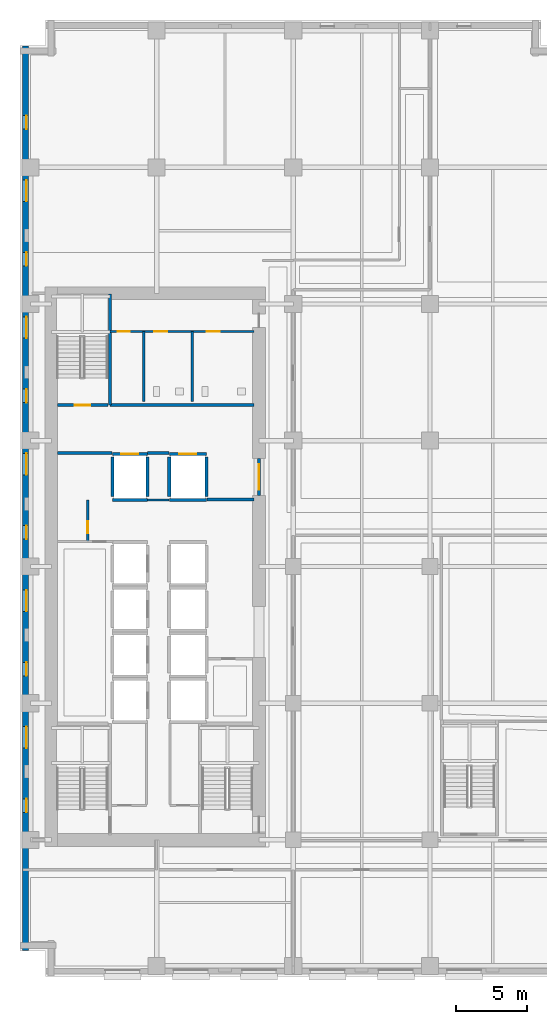
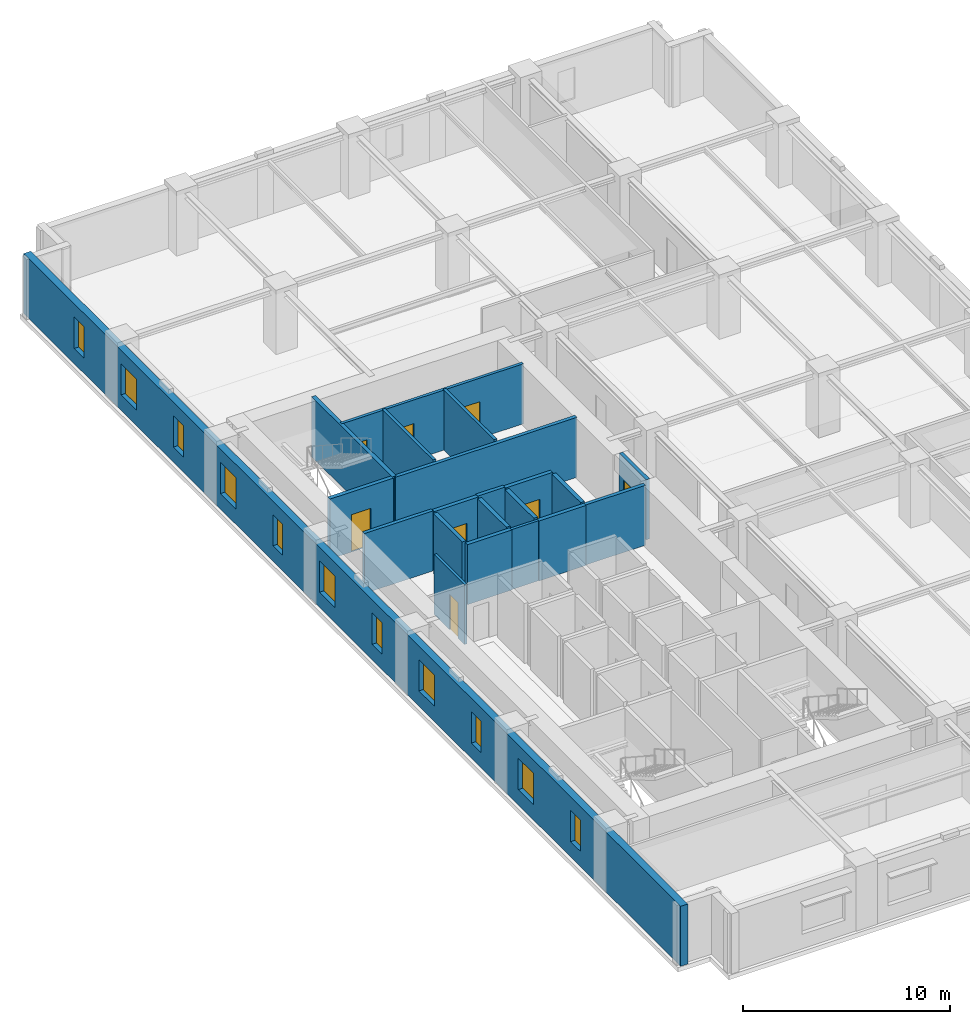
# One storey, part 6 of 14: 21 walls, 11 windows, 8 doors, 19 openings.
"""IFC4 building model written with IfcOpenShell, lengths in metres."""

from ifc_helpers import new_model, si_unit, direction, frame, frame_2d, origin, place, context, subcontext, project, spatial, rectangle, extrude, material, layer, layer_set, type_object, element, fill, save


model = new_model("IFC4")

# Units and contexts
model_context = context("Model", 3, precision=1e-05, world=origin(), true_north=direction((0.0, 1.0)))
body_context = subcontext(model_context, "Body", "Model", "MODEL_VIEW")
ifc_project = project(units=[si_unit("LENGTHUNIT", "METRE"), si_unit("AREAUNIT", "SQUARE_METRE"), si_unit("VOLUMEUNIT", "CUBIC_METRE"), si_unit("PLANEANGLEUNIT", "RADIAN"), si_unit("MASSUNIT", "GRAM", prefix="KILO")], contexts=[model_context])

# Site, building, storey
site_placement = place(None, origin())
site = spatial("IfcSite", under=ifc_project, at=site_placement, CompositionType="ELEMENT")
building_placement = place(site_placement, origin())
building = spatial("IfcBuilding", under=site, at=building_placement, Name="Norrvale University Quadrangle", CompositionType="ELEMENT")
storey_placement = place(building_placement, frame((0.0, 0.0, 50.800048828125)))
storey = spatial("IfcBuildingStorey", under=building, at=storey_placement, Name="L12", CompositionType="ELEMENT", Elevation=50.800048828125)

# Wall
ifc_material_1 = material(Name="Fire-Rated Gypsum Stud Partition")
ifc_layer_1 = layer(ifc_material_1, 0.14990234375, Name="Fire-Rated Gypsum Stud Partition")
ifc_layer_set_1 = layer_set([ifc_layer_1], Name="Fire-Rated Gypsum Stud Partition")
wall_type_1 = type_object("IfcWallType", Name="Wall Gypsum Corridor 150", PredefinedType="PARTITIONING", material=ifc_layer_set_1)
wall_1_placement = place(storey_placement, frame((8.965087890625, 33.489990234375, 0.0), z_axis=(0.0, 0.0, 1.0), x_axis=(1.0, 0.0, 0.0)))
element("IfcWall", 1, at=wall_1_placement, inside=storey, type_object=wall_type_1, Name="Interior Partition WL-L12-LL3", PredefinedType="PARTITIONING", context=body_context, shape_type="SweptSolid", body=[
    extrude(rectangle(XDim=1.52001953125, YDim=0.14990234375, at=frame_2d((0.760009765625, 0.0))), origin(), (0.0, 0.0, 1.0), 3.5400390625),
])

# Wall, opening, door
wall_2_placement = place(storey_placement, frame((4.760009765625, 30.550048828125, 0.0), z_axis=(0.0, 0.0, 1.0), x_axis=(0.0, 1.0, 0.0)))
wall_2 = element("IfcWall", 2, at=wall_2_placement, inside=storey, type_object=wall_type_1, Name="Interior Partition WL-L12-WME-E", PredefinedType="PARTITIONING", context=body_context, shape_type="SweptSolid", body=[
    extrude(rectangle(XDim=2.929931640625, YDim=0.14990234375, at=frame_2d((1.46484375, 0.0))), origin(), (0.0, 0.0, 1.0), 3.5400390625),
])
opening_1_placement = place(wall_2_placement, frame((0.60009765625, 0.0, 0.0)))
opening_1 = element("IfcOpeningElement", 3, at=opening_1_placement, cuts=wall_2, Name="Opening D10", PredefinedType="OPENING", context=body_context, shape_type="SweptSolid", body=[
    extrude(rectangle(XDim=0.85009765625, YDim=2.10009765625, at=frame_2d((0.425048828125, 1.050048828125))), frame((0.0, 0.0869140625, 0.0), z_axis=(0.0, -1.0, 0.0), x_axis=(1.0, 0.0, 0.0)), (0.0, 0.0, 1.0), 0.173828125),
])
ifc_material_2 = material(Name="Hollow Steel 350W Riser Fire Door", Category="steel")
door_type_1 = type_object("IfcDoorType", Name="Door Riser 850x2100", OperationType="NOTDEFINED", PredefinedType="DOOR", material=ifc_material_2)
door_1_placement = place(opening_1_placement, origin())
door_1 = element("IfcDoor", 4, at=door_1_placement, inside=storey, type_object=door_type_1, Name="Door Riser 850x2100 DR-L12-WME", OperationType="SINGLE_SWING_LEFT", OverallHeight=2.10009765625, OverallWidth=0.85009765625, PredefinedType="DOOR", context=body_context, shape_type="SweptSolid", body=[
    extrude(rectangle(XDim=0.85009765625, YDim=2.10009765625, at=frame_2d((0.425048828125, 1.050048828125))), frame((0.0, 0.02490234375, 0.0), z_axis=(0.0, -1.0, 0.0), x_axis=(1.0, 0.0, 0.0)), (0.0, 0.0, 1.0), 0.050048828125),
])
fill(opening_1, door_1)

# Wall, openings, doors
ifc_material_3 = material(Name="Sanitary Chase Gypsum Partition")
ifc_layer_2 = layer(ifc_material_3, 0.1650390625, Name="Sanitary Chase Gypsum Partition")
ifc_layer_set_2 = layer_set([ifc_layer_2], Name="Sanitary Chase Gypsum Partition")
wall_type_2 = type_object("IfcWallType", Name="Wall Gypsum Sanitary 165", PredefinedType="PLUMBINGWALL", material=ifc_layer_set_2)
wall_3_placement = place(storey_placement, frame((6.320068359375, 45.320068359375, 0.0), z_axis=(0.0, 0.0, 1.0), x_axis=(1.0, 0.0, 0.0)))
wall_3 = element("IfcWall", 5, at=wall_3_placement, inside=storey, type_object=wall_type_2, Name="Interior Partition WL-L12-WCN", PredefinedType="PLUMBINGWALL", context=body_context, shape_type="SweptSolid", body=[
    extrude(rectangle(XDim=10.1298828125, YDim=0.1650390625, at=frame_2d((5.06494140625, 0.0))), origin(), (0.0, 0.0, 1.0), 3.5400390625),
])
opening_2_placement = place(wall_3_placement, frame((0.550048828125, 0.0, 0.0)))
opening_2 = element("IfcOpeningElement", 6, at=opening_2_placement, cuts=wall_3, Name="Opening D10", PredefinedType="OPENING", context=body_context, shape_type="SweptSolid", body=[
    extrude(rectangle(XDim=0.85009765625, YDim=2.10009765625, at=frame_2d((0.425048828125, 1.050048828125))), frame((0.0, 0.094482421875, 0.0), z_axis=(0.0, -1.0, 0.0), x_axis=(1.0, 0.0, 0.0)), (0.0, 0.0, 1.0), 0.18896484375),
])
opening_3_placement = place(wall_3_placement, frame((3.10009765625, 0.0, 0.0)))
opening_3 = element("IfcOpeningElement", 7, at=opening_3_placement, cuts=wall_3, Name="Opening D08", PredefinedType="OPENING", context=body_context, shape_type="SweptSolid", body=[
    extrude(rectangle(XDim=0.919921875, YDim=2.14990234375, at=frame_2d((0.4599609375, 1.074951171875))), frame((0.0, 0.094482421875, 0.0), z_axis=(0.0, -1.0, 0.0), x_axis=(1.0, 0.0, 0.0)), (0.0, 0.0, 1.0), 0.18896484375),
])
opening_4_placement = place(wall_3_placement, frame((6.800048828125, 0.0, 0.0)))
opening_4 = element("IfcOpeningElement", 8, at=opening_4_placement, cuts=wall_3, Name="Opening D08", PredefinedType="OPENING", context=body_context, shape_type="SweptSolid", body=[
    extrude(rectangle(XDim=0.919921875, YDim=2.14990234375, at=frame_2d((0.4599609375, 1.074951171875))), frame((0.0, 0.094482421875, 0.0), z_axis=(0.0, -1.0, 0.0), x_axis=(1.0, 0.0, 0.0)), (0.0, 0.0, 1.0), 0.18896484375),
])
door_2_placement = place(opening_2_placement, origin())
door_2 = element("IfcDoor", 9, at=door_2_placement, inside=storey, type_object=door_type_1, Name="Door Riser 850x2100 DR-L12-WC1", OperationType="SINGLE_SWING_LEFT", OverallHeight=2.10009765625, OverallWidth=0.85009765625, PredefinedType="DOOR", context=body_context, shape_type="SweptSolid", body=[
    extrude(rectangle(XDim=0.85009765625, YDim=2.10009765625, at=frame_2d((0.425048828125, 1.050048828125))), frame((0.0, 0.02490234375, 0.0), z_axis=(0.0, -1.0, 0.0), x_axis=(1.0, 0.0, 0.0)), (0.0, 0.0, 1.0), 0.050048828125),
])
fill(opening_2, door_2)
ifc_material_4 = material(Name="Laminate Washroom Door", Category="wood")
door_type_2 = type_object("IfcDoorType", Name="Door Washroom 920x2150", OperationType="NOTDEFINED", PredefinedType="DOOR", material=ifc_material_4)
door_3_placement = place(opening_3_placement, origin())
door_3 = element("IfcDoor", 10, at=door_3_placement, inside=storey, type_object=door_type_2, Name="Door Washroom 920x2150 DR-L12-WC2", OperationType="SINGLE_SWING_RIGHT", OverallHeight=2.14990234375, OverallWidth=0.919921875, PredefinedType="DOOR", context=body_context, shape_type="SweptSolid", body=[
    extrude(rectangle(XDim=0.919921875, YDim=2.14990234375, at=frame_2d((0.4599609375, 1.074951171875))), frame((0.0, 0.02490234375, 0.0), z_axis=(0.0, -1.0, 0.0), x_axis=(1.0, 0.0, 0.0)), (0.0, 0.0, 1.0), 0.050048828125),
])
fill(opening_3, door_3)
door_4_placement = place(opening_4_placement, origin())
door_4 = element("IfcDoor", 11, at=door_4_placement, inside=storey, type_object=door_type_2, Name="Door Washroom 920x2150 DR-L12-WC3", OperationType="SINGLE_SWING_LEFT", OverallHeight=2.14990234375, OverallWidth=0.919921875, PredefinedType="DOOR", context=body_context, shape_type="SweptSolid", body=[
    extrude(rectangle(XDim=0.919921875, YDim=2.14990234375, at=frame_2d((0.4599609375, 1.074951171875))), frame((0.0, 0.02490234375, 0.0), z_axis=(0.0, -1.0, 0.0), x_axis=(1.0, 0.0, 0.0)), (0.0, 0.0, 1.0), 0.050048828125),
])
fill(opening_4, door_4)

# Walls
for number, where, z_axis, x_axis, name in (
    (12, (8.699951171875, 40.39990234375, 0.0), (0.0, 0.0, 1.0), (0.0, 1.0, 0.0), "Interior Partition WL-L12-WCM1"),
    (13, (12.10009765625, 40.39990234375, 0.0), (0.0, 0.0, 1.0), (0.0, 1.0, 0.0), "Interior Partition WL-L12-WCM2"),
):
    element("IfcWall", number, at=place(storey_placement, frame(where, z_axis=z_axis, x_axis=x_axis)), inside=storey, type_object=wall_type_2, Name=name, PredefinedType="PLUMBINGWALL", context=body_context, shape_type="SweptSolid", body=[
        extrude(rectangle(XDim=4.920166015625, YDim=0.1650390625, at=frame_2d((2.4599609375, 0.0))), origin(), (0.0, 0.0, 1.0), 3.5400390625),
    ])
ifc_material_5 = material(Name="Concrete Blockwork 20 MPa Rated Wall", Category="masonry")
ifc_layer_3 = layer(ifc_material_5, 0.199951171875, Name="Concrete Blockwork 20 MPa Rated Wall")
ifc_layer_set_3 = layer_set([ifc_layer_3], Name="Concrete Blockwork 20 MPa Rated Wall")
wall_type_3 = type_object("IfcWallType", Name="Wall Lobby 200", PredefinedType="SOLIDWALL", material=ifc_layer_set_3)
wall_4_placement = place(storey_placement, frame((2.64990234375, 36.780029296875, 0.0), z_axis=(0.0, 0.0, 1.0), x_axis=(1.0, 0.0, 0.0)))
element("IfcWall", 14, at=wall_4_placement, inside=storey, type_object=wall_type_3, Name="Interior Partition WL-L12-FF1", PredefinedType="SOLIDWALL", context=body_context, shape_type="SweptSolid", body=[
    extrude(rectangle(XDim=3.830078125, YDim=0.199951171875, at=frame_2d((1.9150390625, 0.0))), origin(), (0.0, 0.0, 1.0), 3.5400390625),
])
wall_5_placement = place(storey_placement, frame((8.969970703125, 36.780029296875, 0.0), z_axis=(0.0, 0.0, 1.0), x_axis=(1.0, 0.0, 0.0)))
element("IfcWall", 15, at=wall_5_placement, inside=storey, type_object=wall_type_3, Name="Interior Partition WL-L12-FF2", PredefinedType="SOLIDWALL", context=body_context, shape_type="SweptSolid", body=[
    extrude(rectangle(XDim=1.510009765625, YDim=0.199951171875, at=frame_2d((0.7548828125, 0.0))), origin(), (0.0, 0.0, 1.0), 3.5400390625),
])
wall_6_placement = place(storey_placement, frame((13.1201171875, 33.52001953125, 0.0), z_axis=(0.0, 0.0, 1.0), x_axis=(1.0, 0.0, 0.0)))
element("IfcWall", 16, at=wall_6_placement, inside=storey, type_object=wall_type_3, Name="Interior Partition WL-L12-FF3", PredefinedType="SOLIDWALL", context=body_context, shape_type="SweptSolid", body=[
    extrude(rectangle(XDim=3.329833984375, YDim=0.199951171875, at=frame_2d((1.6650390625, 0.0))), origin(), (0.0, 0.0, 1.0), 3.5400390625),
])
wall_7_placement = place(storey_placement, frame((6.320068359375, 40.139892578125, 0.0), z_axis=(0.0, 0.0, 1.0), x_axis=(1.0, 0.0, 0.0)))
element("IfcWall", 17, at=wall_7_placement, inside=storey, type_object=wall_type_3, Name="Interior Partition WL-L12-FF4", PredefinedType="SOLIDWALL", context=body_context, shape_type="SweptSolid", body=[
    extrude(rectangle(XDim=10.1298828125, YDim=0.199951171875, at=frame_2d((5.06494140625, 0.0))), origin(), (0.0, 0.0, 1.0), 3.5400390625),
])

# Wall, opening, door
wall_8_placement = place(storey_placement, frame((16.800048828125, 33.800048828125, 0.0), z_axis=(0.0, 0.0, 1.0), x_axis=(0.0, 1.0, 0.0)))
wall_8 = element("IfcWall", 18, at=wall_8_placement, inside=storey, type_object=wall_type_3, Name="Interior Partition WL-L12-FFP", PredefinedType="SOLIDWALL", context=body_context, shape_type="SweptSolid", body=[
    extrude(rectangle(XDim=2.599853515625, YDim=0.199951171875, at=frame_2d((1.2998046875, 0.0))), origin(), (0.0, 0.0, 1.0), 3.5400390625),
])
opening_5_placement = place(wall_8_placement, frame((0.39990234375, 0.0, 0.0)))
opening_5 = element("IfcOpeningElement", 19, at=opening_5_placement, cuts=wall_8, Name="Opening D03", PredefinedType="OPENING", context=body_context, shape_type="SweptSolid", body=[
    extrude(rectangle(XDim=1.800048828125, YDim=2.199951171875, at=frame_2d((0.89990234375, 1.10009765625))), frame((0.0, 0.112060546875, 0.0), z_axis=(0.0, -1.0, 0.0), x_axis=(1.0, 0.0, 0.0)), (0.0, 0.0, 1.0), 0.223876953125),
])
ifc_material_6 = material(Name="Hollow Steel 350W Fire Door", Category="steel")
door_type_3 = type_object("IfcDoorType", Name="Door Fire Lobby 1800x2200", OperationType="DOUBLE_DOOR_SINGLE_SWING", PredefinedType="DOOR", material=ifc_material_6)
door_5_placement = place(opening_5_placement, origin())
door_5 = element("IfcDoor", 20, at=door_5_placement, inside=storey, type_object=door_type_3, Name="Door Fire Lobby 1800x2200 DR-L12-FFP", OperationType="DOUBLE_DOOR_SINGLE_SWING", OverallHeight=2.199951171875, OverallWidth=1.800048828125, PredefinedType="DOOR", context=body_context, shape_type="SweptSolid", body=[
    extrude(rectangle(XDim=1.800048828125, YDim=2.199951171875, at=frame_2d((0.89990234375, 1.10009765625))), frame((0.0, 0.02490234375, 0.0), z_axis=(0.0, -1.0, 0.0), x_axis=(1.0, 0.0, 0.0)), (0.0, 0.0, 1.0), 0.050048828125),
])
fill(opening_5, door_5)

# Wall, openings, windows
ifc_material_7 = material(Name="Red Manganese Brick Masonry", Category="masonry")
ifc_layer_4 = layer(ifc_material_7, 0.39990234375, Name="Red Manganese Brick Masonry")
ifc_layer_set_4 = layer_set([ifc_layer_4], Name="Red Manganese Brick Masonry")
wall_type_4 = type_object("IfcWallType", Name="Wall Red Brick 400", PredefinedType="SOLIDWALL", material=ifc_layer_set_4)
wall_9_placement = place(storey_placement, frame((0.3798828125, 65.360107421875, 0.0), z_axis=(0.0, 0.0, 1.0), x_axis=(0.0, -1.0, 0.0)))
wall_9 = element("IfcWall", 21, at=wall_9_placement, inside=storey, type_object=wall_type_4, Name="Exterior Brick Facade Wall L12-14.1", PredefinedType="SOLIDWALL", context=body_context, shape_type="SweptSolid", body=[
    extrude(rectangle(XDim=63.52001953125, YDim=0.39990234375, at=frame_2d((31.760009765625, 0.0))), origin(), (0.0, 0.0, 1.0), 3.5400390625),
])
opening_6_placement = place(wall_9_placement, frame((4.885009765625, 0.0, 0.89990234375)))
opening_6 = element("IfcOpeningElement", 22, at=opening_6_placement, cuts=wall_9, Name="Opening W04", PredefinedType="OPENING", context=body_context, shape_type="SweptSolid", body=[
    extrude(rectangle(XDim=0.949951171875, YDim=1.85009765625, at=frame_2d((0.47509765625, 0.925048828125))), frame((0.0, 0.2119140625, 0.0), z_axis=(0.0, -1.0, 0.0), x_axis=(1.0, 0.0, 0.0)), (0.0, 0.0, 1.0), 0.423828125),
])
opening_7_placement = place(wall_9_placement, frame((9.409912109375, 0.0, 0.89990234375)))
opening_7 = element("IfcOpeningElement", 23, at=opening_7_placement, cuts=wall_9, Name="Opening W03", PredefinedType="OPENING", context=body_context, shape_type="SweptSolid", body=[
    extrude(rectangle(XDim=1.5, YDim=1.85009765625, at=frame_2d((0.75, 0.925048828125))), frame((0.0, 0.2119140625, 0.0), z_axis=(0.0, -1.0, 0.0), x_axis=(1.0, 0.0, 0.0)), (0.0, 0.0, 1.0), 0.423828125),
])
opening_8_placement = place(wall_9_placement, frame((14.485107421875, 0.0, 0.89990234375)))
opening_8 = element("IfcOpeningElement", 24, at=opening_8_placement, cuts=wall_9, Name="Opening W04", PredefinedType="OPENING", context=body_context, shape_type="SweptSolid", body=[
    extrude(rectangle(XDim=0.949951171875, YDim=1.85009765625, at=frame_2d((0.47509765625, 0.925048828125))), frame((0.0, 0.2119140625, 0.0), z_axis=(0.0, -1.0, 0.0), x_axis=(1.0, 0.0, 0.0)), (0.0, 0.0, 1.0), 0.423828125),
])
opening_9_placement = place(wall_9_placement, frame((19.010009765625, 0.0, 0.89990234375)))
opening_9 = element("IfcOpeningElement", 25, at=opening_9_placement, cuts=wall_9, Name="Opening W03", PredefinedType="OPENING", context=body_context, shape_type="SweptSolid", body=[
    extrude(rectangle(XDim=1.5, YDim=1.85009765625, at=frame_2d((0.75, 0.925048828125))), frame((0.0, 0.2119140625, 0.0), z_axis=(0.0, -1.0, 0.0), x_axis=(1.0, 0.0, 0.0)), (0.0, 0.0, 1.0), 0.423828125),
])
opening_10_placement = place(wall_9_placement, frame((24.0849609375, 0.0, 0.89990234375)))
opening_10 = element("IfcOpeningElement", 26, at=opening_10_placement, cuts=wall_9, Name="Opening W04", PredefinedType="OPENING", context=body_context, shape_type="SweptSolid", body=[
    extrude(rectangle(XDim=0.949951171875, YDim=1.85009765625, at=frame_2d((0.47509765625, 0.925048828125))), frame((0.0, 0.2119140625, 0.0), z_axis=(0.0, -1.0, 0.0), x_axis=(1.0, 0.0, 0.0)), (0.0, 0.0, 1.0), 0.423828125),
])
opening_11_placement = place(wall_9_placement, frame((28.610107421875, 0.0, 0.89990234375)))
opening_11 = element("IfcOpeningElement", 27, at=opening_11_placement, cuts=wall_9, Name="Opening W03", PredefinedType="OPENING", context=body_context, shape_type="SweptSolid", body=[
    extrude(rectangle(XDim=1.5, YDim=1.85009765625, at=frame_2d((0.75, 0.925048828125))), frame((0.0, 0.2119140625, 0.0), z_axis=(0.0, -1.0, 0.0), x_axis=(1.0, 0.0, 0.0)), (0.0, 0.0, 1.0), 0.423828125),
])
opening_12_placement = place(wall_9_placement, frame((33.68505859375, 0.0, 0.89990234375)))
opening_12 = element("IfcOpeningElement", 28, at=opening_12_placement, cuts=wall_9, Name="Opening W04", PredefinedType="OPENING", context=body_context, shape_type="SweptSolid", body=[
    extrude(rectangle(XDim=0.949951171875, YDim=1.85009765625, at=frame_2d((0.47509765625, 0.925048828125))), frame((0.0, 0.2119140625, 0.0), z_axis=(0.0, -1.0, 0.0), x_axis=(1.0, 0.0, 0.0)), (0.0, 0.0, 1.0), 0.423828125),
])
opening_13_placement = place(wall_9_placement, frame((38.2099609375, 0.0, 0.89990234375)))
opening_13 = element("IfcOpeningElement", 29, at=opening_13_placement, cuts=wall_9, Name="Opening W03", PredefinedType="OPENING", context=body_context, shape_type="SweptSolid", body=[
    extrude(rectangle(XDim=1.5, YDim=1.85009765625, at=frame_2d((0.75, 0.925048828125))), frame((0.0, 0.2119140625, 0.0), z_axis=(0.0, -1.0, 0.0), x_axis=(1.0, 0.0, 0.0)), (0.0, 0.0, 1.0), 0.423828125),
])
opening_14_placement = place(wall_9_placement, frame((43.284912109375, 0.0, 0.89990234375)))
opening_14 = element("IfcOpeningElement", 30, at=opening_14_placement, cuts=wall_9, Name="Opening W04", PredefinedType="OPENING", context=body_context, shape_type="SweptSolid", body=[
    extrude(rectangle(XDim=0.949951171875, YDim=1.85009765625, at=frame_2d((0.47509765625, 0.925048828125))), frame((0.0, 0.2119140625, 0.0), z_axis=(0.0, -1.0, 0.0), x_axis=(1.0, 0.0, 0.0)), (0.0, 0.0, 1.0), 0.423828125),
])
opening_15_placement = place(wall_9_placement, frame((47.81005859375, 0.0, 0.89990234375)))
opening_15 = element("IfcOpeningElement", 31, at=opening_15_placement, cuts=wall_9, Name="Opening W03", PredefinedType="OPENING", context=body_context, shape_type="SweptSolid", body=[
    extrude(rectangle(XDim=1.5, YDim=1.85009765625, at=frame_2d((0.75, 0.925048828125))), frame((0.0, 0.2119140625, 0.0), z_axis=(0.0, -1.0, 0.0), x_axis=(1.0, 0.0, 0.0)), (0.0, 0.0, 1.0), 0.423828125),
])
opening_16_placement = place(wall_9_placement, frame((52.885009765625, 0.0, 0.89990234375)))
opening_16 = element("IfcOpeningElement", 32, at=opening_16_placement, cuts=wall_9, Name="Opening W04", PredefinedType="OPENING", context=body_context, shape_type="SweptSolid", body=[
    extrude(rectangle(XDim=0.949951171875, YDim=1.85009765625, at=frame_2d((0.47509765625, 0.925048828125))), frame((0.0, 0.2119140625, 0.0), z_axis=(0.0, -1.0, 0.0), x_axis=(1.0, 0.0, 0.0)), (0.0, 0.0, 1.0), 0.423828125),
])
ifc_material_8 = material(Name="Triple Low-E Argon Glazing", Category="glass")
window_type_1 = type_object("IfcWindowType", Name="Window Narrow Pier 950x2300", PartitioningType="SINGLE_PANEL", PredefinedType="WINDOW", material=ifc_material_8)
window_1_placement = place(opening_6_placement, origin())
window_1 = element("IfcWindow", 33, at=window_1_placement, inside=storey, type_object=window_type_1, Name="Window Narrow Pier 950x2300 WIN-L12-E14-1-01", OverallHeight=1.85009765625, OverallWidth=0.949951171875, PartitioningType="SINGLE_PANEL", PredefinedType="WINDOW", context=body_context, shape_type="SweptSolid", body=[
    extrude(rectangle(XDim=0.949951171875, YDim=1.85009765625, at=frame_2d((0.47509765625, 0.925048828125))), frame((0.0, 0.110107421875, 0.0), z_axis=(0.0, -1.0, 0.0), x_axis=(1.0, 0.0, 0.0)), (0.0, 0.0, 1.0), 0.06005859375),
])
fill(opening_6, window_1)
window_2_placement = place(opening_8_placement, origin())
window_2 = element("IfcWindow", 34, at=window_2_placement, inside=storey, type_object=window_type_1, Name="Window Narrow Pier 950x2300 WIN-L12-E14-1-03", OverallHeight=1.85009765625, OverallWidth=0.949951171875, PartitioningType="SINGLE_PANEL", PredefinedType="WINDOW", context=body_context, shape_type="SweptSolid", body=[
    extrude(rectangle(XDim=0.949951171875, YDim=1.85009765625, at=frame_2d((0.47509765625, 0.925048828125))), frame((0.0, 0.110107421875, 0.0), z_axis=(0.0, -1.0, 0.0), x_axis=(1.0, 0.0, 0.0)), (0.0, 0.0, 1.0), 0.06005859375),
])
fill(opening_8, window_2)
window_3_placement = place(opening_10_placement, origin())
window_3 = element("IfcWindow", 35, at=window_3_placement, inside=storey, type_object=window_type_1, Name="Window Narrow Pier 950x2300 WIN-L12-E14-1-05", OverallHeight=1.85009765625, OverallWidth=0.949951171875, PartitioningType="SINGLE_PANEL", PredefinedType="WINDOW", context=body_context, shape_type="SweptSolid", body=[
    extrude(rectangle(XDim=0.949951171875, YDim=1.85009765625, at=frame_2d((0.47509765625, 0.925048828125))), frame((0.0, 0.110107421875, 0.0), z_axis=(0.0, -1.0, 0.0), x_axis=(1.0, 0.0, 0.0)), (0.0, 0.0, 1.0), 0.06005859375),
])
fill(opening_10, window_3)
window_4_placement = place(opening_12_placement, origin())
window_4 = element("IfcWindow", 36, at=window_4_placement, inside=storey, type_object=window_type_1, Name="Window Narrow Pier 950x2300 WIN-L12-E14-1-07", OverallHeight=1.85009765625, OverallWidth=0.949951171875, PartitioningType="SINGLE_PANEL", PredefinedType="WINDOW", context=body_context, shape_type="SweptSolid", body=[
    extrude(rectangle(XDim=0.949951171875, YDim=1.85009765625, at=frame_2d((0.47509765625, 0.925048828125))), frame((0.0, 0.110107421875, 0.0), z_axis=(0.0, -1.0, 0.0), x_axis=(1.0, 0.0, 0.0)), (0.0, 0.0, 1.0), 0.06005859375),
])
fill(opening_12, window_4)
window_5_placement = place(opening_14_placement, origin())
window_5 = element("IfcWindow", 37, at=window_5_placement, inside=storey, type_object=window_type_1, Name="Window Narrow Pier 950x2300 WIN-L12-E14-1-09", OverallHeight=1.85009765625, OverallWidth=0.949951171875, PartitioningType="SINGLE_PANEL", PredefinedType="WINDOW", context=body_context, shape_type="SweptSolid", body=[
    extrude(rectangle(XDim=0.949951171875, YDim=1.85009765625, at=frame_2d((0.47509765625, 0.925048828125))), frame((0.0, 0.110107421875, 0.0), z_axis=(0.0, -1.0, 0.0), x_axis=(1.0, 0.0, 0.0)), (0.0, 0.0, 1.0), 0.06005859375),
])
fill(opening_14, window_5)
window_6_placement = place(opening_16_placement, origin())
window_6 = element("IfcWindow", 38, at=window_6_placement, inside=storey, type_object=window_type_1, Name="Window Narrow Pier 950x2300 WIN-L12-E14-1-11", OverallHeight=1.85009765625, OverallWidth=0.949951171875, PartitioningType="SINGLE_PANEL", PredefinedType="WINDOW", context=body_context, shape_type="SweptSolid", body=[
    extrude(rectangle(XDim=0.949951171875, YDim=1.85009765625, at=frame_2d((0.47509765625, 0.925048828125))), frame((0.0, 0.110107421875, 0.0), z_axis=(0.0, -1.0, 0.0), x_axis=(1.0, 0.0, 0.0)), (0.0, 0.0, 1.0), 0.06005859375),
])
fill(opening_16, window_6)
window_type_2 = type_object("IfcWindowType", Name="Window Studio 1500x2300", PartitioningType="DOUBLE_PANEL_VERTICAL", PredefinedType="WINDOW", material=ifc_material_8)
window_7_placement = place(opening_7_placement, origin())
window_7 = element("IfcWindow", 39, at=window_7_placement, inside=storey, type_object=window_type_2, Name="Window Studio 1500x2300 WIN-L12-E14-1-02", OverallHeight=1.85009765625, OverallWidth=1.5, PartitioningType="DOUBLE_PANEL_VERTICAL", PredefinedType="WINDOW", context=body_context, shape_type="SweptSolid", body=[
    extrude(rectangle(XDim=1.5, YDim=1.85009765625, at=frame_2d((0.75, 0.925048828125))), frame((0.0, 0.110107421875, 0.0), z_axis=(0.0, -1.0, 0.0), x_axis=(1.0, 0.0, 0.0)), (0.0, 0.0, 1.0), 0.06005859375),
])
fill(opening_7, window_7)
window_8_placement = place(opening_9_placement, origin())
window_8 = element("IfcWindow", 40, at=window_8_placement, inside=storey, type_object=window_type_2, Name="Window Studio 1500x2300 WIN-L12-E14-1-04", OverallHeight=1.85009765625, OverallWidth=1.5, PartitioningType="DOUBLE_PANEL_VERTICAL", PredefinedType="WINDOW", context=body_context, shape_type="SweptSolid", body=[
    extrude(rectangle(XDim=1.5, YDim=1.85009765625, at=frame_2d((0.75, 0.925048828125))), frame((0.0, 0.110107421875, 0.0), z_axis=(0.0, -1.0, 0.0), x_axis=(1.0, 0.0, 0.0)), (0.0, 0.0, 1.0), 0.06005859375),
])
fill(opening_9, window_8)
window_9_placement = place(opening_11_placement, origin())
window_9 = element("IfcWindow", 41, at=window_9_placement, inside=storey, type_object=window_type_2, Name="Window Studio 1500x2300 WIN-L12-E14-1-06", OverallHeight=1.85009765625, OverallWidth=1.5, PartitioningType="DOUBLE_PANEL_VERTICAL", PredefinedType="WINDOW", context=body_context, shape_type="SweptSolid", body=[
    extrude(rectangle(XDim=1.5, YDim=1.85009765625, at=frame_2d((0.75, 0.925048828125))), frame((0.0, 0.110107421875, 0.0), z_axis=(0.0, -1.0, 0.0), x_axis=(1.0, 0.0, 0.0)), (0.0, 0.0, 1.0), 0.06005859375),
])
fill(opening_11, window_9)
window_10_placement = place(opening_13_placement, origin())
window_10 = element("IfcWindow", 42, at=window_10_placement, inside=storey, type_object=window_type_2, Name="Window Studio 1500x2300 WIN-L12-E14-1-08", OverallHeight=1.85009765625, OverallWidth=1.5, PartitioningType="DOUBLE_PANEL_VERTICAL", PredefinedType="WINDOW", context=body_context, shape_type="SweptSolid", body=[
    extrude(rectangle(XDim=1.5, YDim=1.85009765625, at=frame_2d((0.75, 0.925048828125))), frame((0.0, 0.110107421875, 0.0), z_axis=(0.0, -1.0, 0.0), x_axis=(1.0, 0.0, 0.0)), (0.0, 0.0, 1.0), 0.06005859375),
])
fill(opening_13, window_10)
window_11_placement = place(opening_15_placement, origin())
window_11 = element("IfcWindow", 43, at=window_11_placement, inside=storey, type_object=window_type_2, Name="Window Studio 1500x2300 WIN-L12-E14-1-10", OverallHeight=1.85009765625, OverallWidth=1.5, PartitioningType="DOUBLE_PANEL_VERTICAL", PredefinedType="WINDOW", context=body_context, shape_type="SweptSolid", body=[
    extrude(rectangle(XDim=1.5, YDim=1.85009765625, at=frame_2d((0.75, 0.925048828125))), frame((0.0, 0.110107421875, 0.0), z_axis=(0.0, -1.0, 0.0), x_axis=(1.0, 0.0, 0.0)), (0.0, 0.0, 1.0), 0.06005859375),
])
fill(opening_15, window_11)

# Wall, opening, door
ifc_material_9 = material(Name="Concrete Blockwork 20 MPa Fire Shaft", Category="masonry")
ifc_layer_5 = layer(ifc_material_9, 0.219970703125, Name="Concrete Blockwork 20 MPa Fire Shaft")
ifc_layer_set_5 = layer_set([ifc_layer_5], Name="Concrete Blockwork 20 MPa Fire Shaft")
wall_type_5 = type_object("IfcWallType", Name="Wall Shaft 220", PredefinedType="SOLIDWALL", material=ifc_layer_set_5)
wall_10_placement = place(storey_placement, frame((2.64990234375, 40.139892578125, 0.0), z_axis=(0.0, 0.0, 1.0), x_axis=(1.0, 0.0, 0.0)))
wall_10 = element("IfcWall", 44, at=wall_10_placement, inside=storey, type_object=wall_type_5, Name="Stair ST-02 South Shaft Wall L12", PredefinedType="SOLIDWALL", context=body_context, shape_type="SweptSolid", body=[
    extrude(rectangle(XDim=3.550048828125, YDim=0.219970703125, at=frame_2d((1.77490234375, 0.0))), origin(), (0.0, 0.0, 1.0), 3.5400390625),
])
opening_17_placement = place(wall_10_placement, frame((1.199951171875, 0.0, 0.0)))
opening_17 = element("IfcOpeningElement", 45, at=opening_17_placement, cuts=wall_10, Name="Opening D02", PredefinedType="OPENING", context=body_context, shape_type="SweptSolid", body=[
    extrude(rectangle(XDim=1.10009765625, YDim=2.199951171875, at=frame_2d((0.550048828125, 1.10009765625))), frame((0.0, 0.1220703125, 0.0), z_axis=(0.0, -1.0, 0.0), x_axis=(1.0, 0.0, 0.0)), (0.0, 0.0, 1.0), 0.243896484375),
])
door_type_4 = type_object("IfcDoorType", Name="Door Stair Exit 1100x2200", OperationType="NOTDEFINED", PredefinedType="DOOR", material=ifc_material_6)
door_6_placement = place(opening_17_placement, origin())
door_6 = element("IfcDoor", 46, at=door_6_placement, inside=storey, type_object=door_type_4, Name="Door Stair Exit 1100x2200 DR-L12-ST02", OperationType="SINGLE_SWING_LEFT", OverallHeight=2.199951171875, OverallWidth=1.10009765625, PredefinedType="DOOR", context=body_context, shape_type="SweptSolid", body=[
    extrude(rectangle(XDim=1.10009765625, YDim=2.199951171875, at=frame_2d((0.550048828125, 1.10009765625))), frame((0.0, 0.02490234375, 0.0), z_axis=(0.0, -1.0, 0.0), x_axis=(1.0, 0.0, 0.0)), (0.0, 0.0, 1.0), 0.050048828125),
])
fill(opening_17, door_6)

# Walls
wall_11_placement = place(storey_placement, frame((6.31005859375, 40.139892578125, 0.0), z_axis=(0.0, 0.0, 1.0), x_axis=(0.0, 1.0, 0.0)))
element("IfcWall", 47, at=wall_11_placement, inside=storey, type_object=wall_type_5, Name="Stair ST-02 East Shaft Wall L12", PredefinedType="SOLIDWALL", context=body_context, shape_type="SweptSolid", body=[
    extrude(rectangle(XDim=7.81005859375, YDim=0.219970703125, at=frame_2d((3.905029296875, 0.0))), origin(), (0.0, 0.0, 1.0), 3.5400390625),
])
for number, where, z_axis, x_axis, name in (
    (48, (6.489990234375, 33.7099609375, 0.0), (0.0, 0.0, 1.0), (0.0, 1.0, 0.0), "Hoistway FFL-01 West Wall L12"),
    (49, (8.9599609375, 33.7099609375, 0.0), (0.0, 0.0, 1.0), (0.0, 1.0, 0.0), "Hoistway FFL-01 East Wall L12"),
):
    element("IfcWall", number, at=place(storey_placement, frame(where, z_axis=z_axis, x_axis=x_axis)), inside=storey, type_object=wall_type_5, Name=name, PredefinedType="SOLIDWALL", context=body_context, shape_type="SweptSolid", body=[
        extrude(rectangle(XDim=2.780029296875, YDim=0.219970703125, at=frame_2d((1.39013671875, 0.0))), origin(), (0.0, 0.0, 1.0), 3.5400390625),
    ])
wall_12_placement = place(storey_placement, frame((6.489990234375, 33.489990234375, 0.0), z_axis=(0.0, 0.0, 1.0), x_axis=(1.0, 0.0, 0.0)))
element("IfcWall", 50, at=wall_12_placement, inside=storey, type_object=wall_type_5, Name="Hoistway FFL-01 South Wall L12", PredefinedType="SOLIDWALL", context=body_context, shape_type="SweptSolid", body=[
    extrude(rectangle(XDim=2.469970703125, YDim=0.219970703125, at=frame_2d((1.23486328125, 0.0))), origin(), (0.0, 0.0, 1.0), 3.5400390625),
])

# Wall, opening, door
wall_13_placement = place(storey_placement, frame((6.489990234375, 36.7099609375, 0.0), z_axis=(0.0, 0.0, 1.0), x_axis=(1.0, 0.0, 0.0)))
wall_13 = element("IfcWall", 51, at=wall_13_placement, inside=storey, type_object=wall_type_5, Name="Hoistway FFL-01 North Wall L12", PredefinedType="SOLIDWALL", context=body_context, shape_type="SweptSolid", body=[
    extrude(rectangle(XDim=2.469970703125, YDim=0.219970703125, at=frame_2d((1.23486328125, 0.0))), origin(), (0.0, 0.0, 1.0), 3.5400390625),
])
opening_18_placement = place(wall_13_placement, frame((0.635009765625, 0.0, 0.0)))
opening_18 = element("IfcOpeningElement", 52, at=opening_18_placement, cuts=wall_13, Name="Opening LD2", PredefinedType="OPENING", context=body_context, shape_type="SweptSolid", body=[
    extrude(rectangle(XDim=1.199951171875, YDim=2.199951171875, at=frame_2d((0.60009765625, 1.10009765625))), frame((0.0, 0.1220703125, 0.0), z_axis=(0.0, -1.0, 0.0), x_axis=(1.0, 0.0, 0.0)), (0.0, 0.0, 1.0), 0.243896484375),
])
ifc_material_10 = material(Name="Stainless Steel 316L Firefighter Lift Door", Category="steel")
door_type_5 = type_object("IfcDoorType", Name="Door Fire Lift 1200x2200", OperationType="DOUBLE_DOOR_SLIDING", PredefinedType="DOOR", material=ifc_material_10)
door_7_placement = place(opening_18_placement, origin())
door_7 = element("IfcDoor", 53, at=door_7_placement, inside=storey, type_object=door_type_5, Name="Elevator Landing Door DR-L12-FFL-01", OperationType="DOUBLE_DOOR_SLIDING", OverallHeight=2.199951171875, OverallWidth=1.199951171875, PredefinedType="DOOR", context=body_context, shape_type="SweptSolid", body=[
    extrude(rectangle(XDim=1.199951171875, YDim=2.199951171875, at=frame_2d((0.60009765625, 1.10009765625))), frame((0.0, 0.02490234375, 0.0), z_axis=(0.0, -1.0, 0.0), x_axis=(1.0, 0.0, 0.0)), (0.0, 0.0, 1.0), 0.050048828125),
])
fill(opening_18, door_7)

# Walls
for number, where, z_axis, x_axis, name in (
    (54, (10.489990234375, 33.7099609375, 0.0), (0.0, 0.0, 1.0), (0.0, 1.0, 0.0), "Hoistway FFL-02 West Wall L12"),
    (55, (13.110107421875, 33.7099609375, 0.0), (0.0, 0.0, 1.0), (0.0, 1.0, 0.0), "Hoistway FFL-02 East Wall L12"),
):
    element("IfcWall", number, at=place(storey_placement, frame(where, z_axis=z_axis, x_axis=x_axis)), inside=storey, type_object=wall_type_5, Name=name, PredefinedType="SOLIDWALL", context=body_context, shape_type="SweptSolid", body=[
        extrude(rectangle(XDim=2.780029296875, YDim=0.219970703125, at=frame_2d((1.39013671875, 0.0))), origin(), (0.0, 0.0, 1.0), 3.5400390625),
    ])
wall_14_placement = place(storey_placement, frame((10.489990234375, 33.489990234375, 0.0), z_axis=(0.0, 0.0, 1.0), x_axis=(1.0, 0.0, 0.0)))
element("IfcWall", 56, at=wall_14_placement, inside=storey, type_object=wall_type_5, Name="Hoistway FFL-02 South Wall L12", PredefinedType="SOLIDWALL", context=body_context, shape_type="SweptSolid", body=[
    extrude(rectangle(XDim=2.6201171875, YDim=0.219970703125, at=frame_2d((1.31005859375, 0.0))), origin(), (0.0, 0.0, 1.0), 3.5400390625),
])

# Wall, opening, door
wall_15_placement = place(storey_placement, frame((10.489990234375, 36.7099609375, 0.0), z_axis=(0.0, 0.0, 1.0), x_axis=(1.0, 0.0, 0.0)))
wall_15 = element("IfcWall", 57, at=wall_15_placement, inside=storey, type_object=wall_type_5, Name="Hoistway FFL-02 North Wall L12", PredefinedType="SOLIDWALL", context=body_context, shape_type="SweptSolid", body=[
    extrude(rectangle(XDim=2.6201171875, YDim=0.219970703125, at=frame_2d((1.31005859375, 0.0))), origin(), (0.0, 0.0, 1.0), 3.5400390625),
])
opening_19_placement = place(wall_15_placement, frame((0.7099609375, 0.0, 0.0)))
opening_19 = element("IfcOpeningElement", 58, at=opening_19_placement, cuts=wall_15, Name="Opening LD2", PredefinedType="OPENING", context=body_context, shape_type="SweptSolid", body=[
    extrude(rectangle(XDim=1.199951171875, YDim=2.199951171875, at=frame_2d((0.60009765625, 1.10009765625))), frame((0.0, 0.1220703125, 0.0), z_axis=(0.0, -1.0, 0.0), x_axis=(1.0, 0.0, 0.0)), (0.0, 0.0, 1.0), 0.243896484375),
])
door_8_placement = place(opening_19_placement, origin())
door_8 = element("IfcDoor", 59, at=door_8_placement, inside=storey, type_object=door_type_5, Name="Elevator Landing Door DR-L12-FFL-02", OperationType="DOUBLE_DOOR_SLIDING", OverallHeight=2.199951171875, OverallWidth=1.199951171875, PredefinedType="DOOR", context=body_context, shape_type="SweptSolid", body=[
    extrude(rectangle(XDim=1.199951171875, YDim=2.199951171875, at=frame_2d((0.60009765625, 1.10009765625))), frame((0.0, 0.02490234375, 0.0), z_axis=(0.0, -1.0, 0.0), x_axis=(1.0, 0.0, 0.0)), (0.0, 0.0, 1.0), 0.050048828125),
])
fill(opening_19, door_8)

save(model, "model.ifc")
